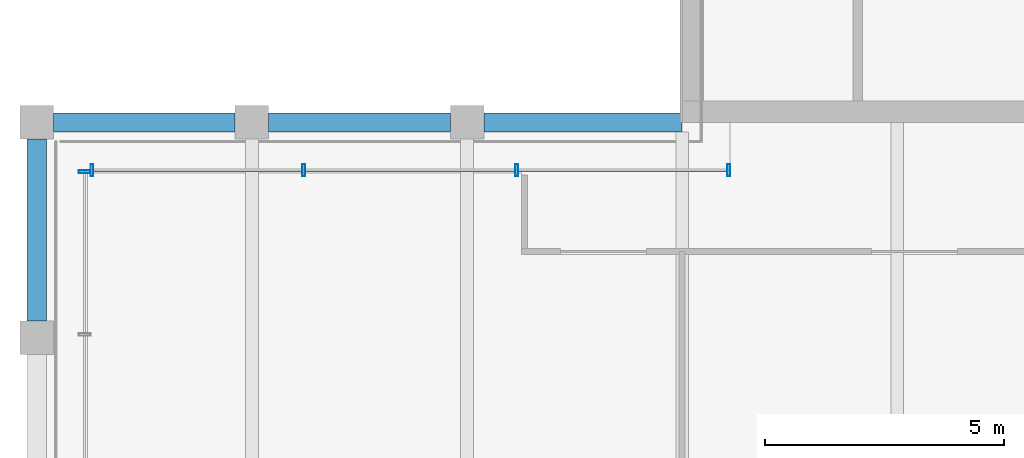
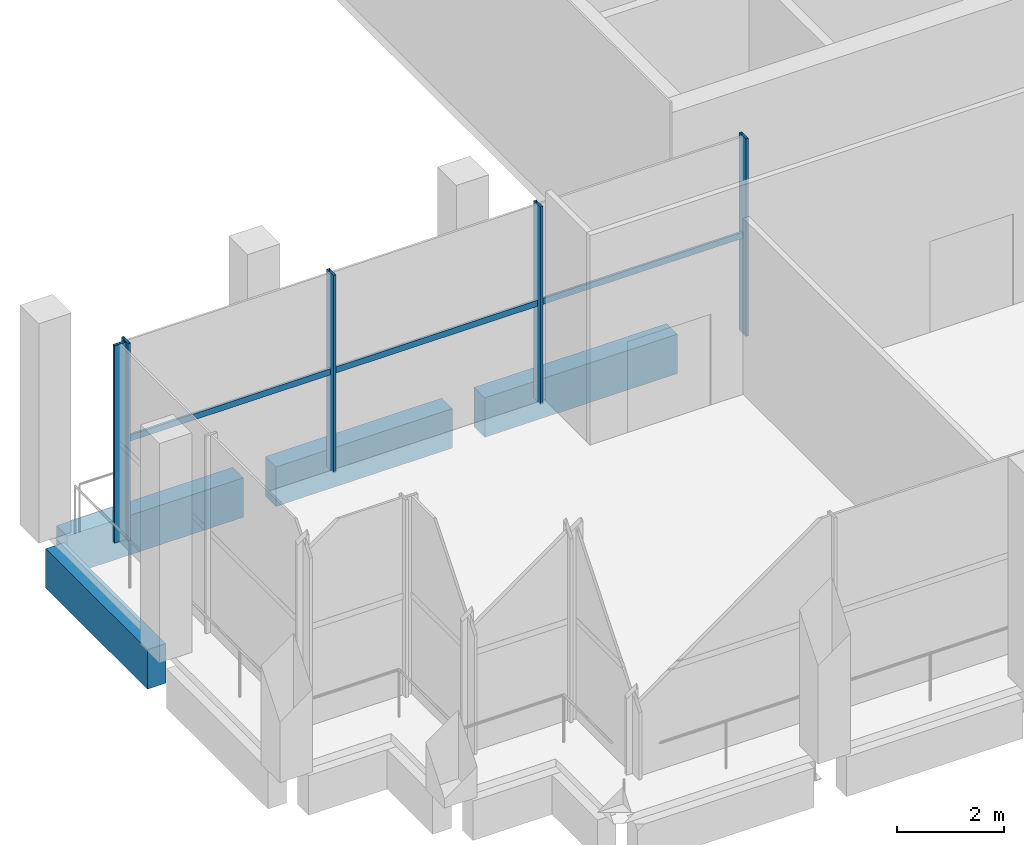
# One storey, part 4 of 14: 8 members, 4 beams, 2 elements without a shape of their own.
"""IFC4 building model written with IfcOpenShell, lengths in metres."""

from ifc_helpers import new_model, si_unit, direction, frame, origin, origin_2d, place, context, subcontext, project, spatial, rectangle, hollow_rectangle, extrude, material, material_profile, profile_set, type_object, element, aggregate, save


model = new_model("IFC4")

# Units and contexts
model_context = context("Model", 3, precision=1e-05, world=origin(), true_north=direction((0.0, 1.0)))
body_context = subcontext(model_context, "Body", "Model", "MODEL_VIEW")
ifc_project = project(units=[si_unit("LENGTHUNIT", "METRE"), si_unit("AREAUNIT", "SQUARE_METRE"), si_unit("VOLUMEUNIT", "CUBIC_METRE"), si_unit("PLANEANGLEUNIT", "RADIAN"), si_unit("MASSUNIT", "GRAM", prefix="KILO")], contexts=[model_context])

# Site, building, storey
site_placement = place(None, origin())
site = spatial("IfcSite", under=ifc_project, at=site_placement, CompositionType="ELEMENT")
building_placement = place(site_placement, origin())
building = spatial("IfcBuilding", under=site, at=building_placement, Name="Altepetl Exchange Towers", CompositionType="ELEMENT")
storey_placement = place(building_placement, frame((0.0, 0.0, 269.60009765625)))
storey = spatial("IfcBuildingStorey", under=building, at=storey_placement, Name="L68 Observation gallery", CompositionType="ELEMENT", Elevation=269.60009765625)

# Curtain wall, members
ifc_material_1 = material(Name="Aluminium 6063-T6 glazing", Category="aluminium")
curtain_wall_type = type_object("IfcCurtainWallType", Name="Executive flush glazing system", PredefinedType="NOTDEFINED", material=ifc_material_1)
curtain_wall_1_placement = place(storey_placement, origin())
curtain_wall_1 = element("IfcCurtainWall", 1, at=curtain_wall_1_placement, inside=storey, type_object=curtain_wall_type, Name="CW4 run", PredefinedType="NOTDEFINED")
ifc_material_2 = material(Name="Aluminium 6063-T6", Category="aluminium")
ifc_material_profile_1 = material_profile(ifc_material_2, hollow_rectangle(XDim=0.06005859375, YDim=0.25, WallThickness=0.0029296875, at=origin_2d()), Name="Mullion 60x250 hollow aluminium")
ifc_profile_set_1 = profile_set([ifc_material_profile_1], Name="Aluminium 6063-T6")
member_type_1 = type_object("IfcMemberType", Name="Mullion 60x250 hollow aluminium", PredefinedType="MULLION", material=ifc_profile_set_1)
member_1_placement = place(storey_placement, frame((41.469970703125, 39.5, 0.0), z_axis=(0.0, 0.0, 1.0), x_axis=(-1.0, 0.0, 0.0)))
member_1 = element("IfcMember", 2, at=member_1_placement, type_object=member_type_1, Name="MU3 mullion", PredefinedType="MULLION", context=body_context, shape_type="SweptSolid", body=[
    extrude(hollow_rectangle(XDim=0.06005859375, YDim=0.25, WallThickness=0.0029296875, at=origin_2d()), origin(), (0.0, 0.0, 1.0), 4.5),
])
member_2_placement = place(storey_placement, frame((37.041748046875, 39.5, 0.0), z_axis=(0.0, 0.0, 1.0), x_axis=(-1.0, 0.0, 0.0)))
member_2 = element("IfcMember", 3, at=member_2_placement, type_object=member_type_1, Name="MU3 mullion", PredefinedType="MULLION", context=body_context, shape_type="SweptSolid", body=[
    extrude(hollow_rectangle(XDim=0.06005859375, YDim=0.25, WallThickness=0.0029296875, at=origin_2d()), origin(), (0.0, 0.0, 1.0), 4.5),
])
member_3_placement = place(storey_placement, frame((32.583251953125, 39.5, 0.0), z_axis=(0.0, 0.0, 1.0), x_axis=(-1.0, 0.0, 0.0)))
member_3 = element("IfcMember", 4, at=member_3_placement, type_object=member_type_1, Name="MU3 mullion", PredefinedType="MULLION", context=body_context, shape_type="SweptSolid", body=[
    extrude(hollow_rectangle(XDim=0.06005859375, YDim=0.25, WallThickness=0.0029296875, at=origin_2d()), origin(), (0.0, 0.0, 1.0), 4.5),
])
member_4_placement = place(storey_placement, frame((28.155029296875, 39.5, 0.0), z_axis=(0.0, 0.0, 1.0), x_axis=(-1.0, 0.0, 0.0)))
member_4 = element("IfcMember", 5, at=member_4_placement, type_object=member_type_1, Name="MU3 mullion", PredefinedType="MULLION", context=body_context, shape_type="SweptSolid", body=[
    extrude(hollow_rectangle(XDim=0.06005859375, YDim=0.25, WallThickness=0.0029296875, at=origin_2d()), origin(), (0.0, 0.0, 1.0), 4.5),
])

# Curtain wall, member
curtain_wall_2_placement = place(storey_placement, origin())
curtain_wall_2 = element("IfcCurtainWall", 6, at=curtain_wall_2_placement, inside=storey, type_object=curtain_wall_type, Name="CW4 run", PredefinedType="NOTDEFINED")
member_5_placement = place(storey_placement, frame((28.0, 39.469970703125, 0.0), z_axis=(0.0, 0.0, 1.0), x_axis=(0.0, -1.0, 0.0)))
member_5 = element("IfcMember", 7, at=member_5_placement, type_object=member_type_1, Name="MU3 mullion", PredefinedType="MULLION", context=body_context, shape_type="SweptSolid", body=[
    extrude(hollow_rectangle(XDim=0.06005859375, YDim=0.25, WallThickness=0.0029296875, at=origin_2d()), origin(), (0.0, 0.0, 1.0), 4.5),
])
aggregate(curtain_wall_2, [member_5])

# Beams
ifc_material_3 = material(Name="Concrete C50/60 precast with cantera blanca facing", Category="concrete")
ifc_material_profile_2 = material_profile(ifc_material_3, rectangle(XDim=0.39990234375, YDim=0.89990234375, at=origin_2d()), Name="400 x 900")
ifc_profile_set_2 = profile_set([ifc_material_profile_2], Name="Concrete C50/60 precast with cantera blanca facing")
beam_type_1 = type_object("IfcBeamType", Name="Spandrel beam 400x900 cantera blanca", PredefinedType="SPANDREL", material=ifc_profile_set_2)
beam_1_placement = place(storey_placement, frame((27.0, 40.14990234375, -0.625), z_axis=(0.0, -1.0, 0.0), x_axis=(1.0, 0.0, 0.0)))
element("IfcBeam", 8, at=beam_1_placement, inside=storey, type_object=beam_type_1, Name="sp:A:L68:026", PredefinedType="SPANDREL", context=body_context, shape_type="SweptSolid", body=[
    extrude(rectangle(XDim=0.39990234375, YDim=0.89990234375, at=origin_2d()), origin(), (0.0, 0.0, 1.0), 3.7998046875),
])
ifc_material_4 = material(Name="Concrete C50/60 precast with tezontle facing", Category="concrete")
ifc_material_profile_3 = material_profile(ifc_material_4, rectangle(XDim=0.39990234375, YDim=0.89990234375, at=origin_2d()), Name="400 x 900")
ifc_profile_set_3 = profile_set([ifc_material_profile_3], Name="Concrete C50/60 precast with tezontle facing")
beam_type_2 = type_object("IfcBeamType", Name="Spandrel beam 400x900 tezontle", PredefinedType="SPANDREL", material=ifc_profile_set_3)
beam_2_placement = place(storey_placement, frame((40.5, 40.5, -0.625), z_axis=(-1.0, 0.0, 0.0), x_axis=(0.0, -1.0, 0.0)))
element("IfcBeam", 9, at=beam_2_placement, inside=storey, type_object=beam_type_2, Name="sp:A:L68:023", PredefinedType="SPANDREL", context=body_context, shape_type="SweptSolid", body=[
    extrude(rectangle(XDim=0.39990234375, YDim=0.89990234375, at=origin_2d()), origin(), (0.0, 0.0, 1.0), 4.14990234375),
])
for number, where, z_axis, x_axis, name in (
    (10, (35.64990234375, 40.5, -0.625), (-1.0, 0.0, 0.0), (0.0, -1.0, 0.0), "sp:A:L68:024"),
    (11, (31.14990234375, 40.5, -0.625), (-1.0, 0.0, 0.0), (0.0, -1.0, 0.0), "sp:A:L68:025"),
):
    element("IfcBeam", number, at=place(storey_placement, frame(where, z_axis=z_axis, x_axis=x_axis)), inside=storey, type_object=beam_type_2, Name=name, PredefinedType="SPANDREL", context=body_context, shape_type="SweptSolid", body=[
        extrude(rectangle(XDim=0.39990234375, YDim=0.89990234375, at=origin_2d()), origin(), (0.0, 0.0, 1.0), 3.7998046875),
    ])

# Member
ifc_material_profile_4 = material_profile(ifc_material_2, hollow_rectangle(XDim=0.050048828125, YDim=0.139892578125, WallThickness=0.0029296875, at=origin_2d()), Name="Transom 50x140 hollow aluminium")
ifc_profile_set_4 = profile_set([ifc_material_profile_4], Name="Aluminium 6063-T6")
member_type_2 = type_object("IfcMemberType", Name="Transom 50x140 hollow aluminium", PredefinedType="USERDEFINED", material=ifc_profile_set_4)
member_6_placement = place(storey_placement, frame((41.43994140625, 39.5, 2.25), z_axis=(-1.0, 0.0, 0.0), x_axis=(0.0, -1.0, 0.0)))
member_6 = element("IfcMember", 12, at=member_6_placement, type_object=member_type_2, Name="TR2 transom", ObjectType="TRANSOM", PredefinedType="USERDEFINED", context=body_context, shape_type="SweptSolid", body=[
    extrude(hollow_rectangle(XDim=0.050048828125, YDim=0.139892578125, WallThickness=0.0029296875, at=origin_2d()), origin(), (0.0, 0.0, 1.0), 4.3681640625),
])

member_7_placement = place(storey_placement, frame((37.01171875, 39.5, 2.25), z_axis=(-1.0, 0.0, 0.0), x_axis=(0.0, -1.0, 0.0)))
member_7 = element("IfcMember", 13, at=member_7_placement, type_object=member_type_2, Name="TR2 transom", ObjectType="TRANSOM", PredefinedType="USERDEFINED", context=body_context, shape_type="SweptSolid", body=[
    extrude(hollow_rectangle(XDim=0.050048828125, YDim=0.139892578125, WallThickness=0.0029296875, at=origin_2d()), origin(), (0.0, 0.0, 1.0), 4.3984375),
])

member_8_placement = place(storey_placement, frame((32.55322265625, 39.5, 2.25), z_axis=(-1.0, 0.0, 0.0), x_axis=(0.0, -1.0, 0.0)))
member_8 = element("IfcMember", 14, at=member_8_placement, type_object=member_type_2, Name="TR2 transom", ObjectType="TRANSOM", PredefinedType="USERDEFINED", context=body_context, shape_type="SweptSolid", body=[
    extrude(hollow_rectangle(XDim=0.050048828125, YDim=0.139892578125, WallThickness=0.0029296875, at=origin_2d()), origin(), (0.0, 0.0, 1.0), 4.3681640625),
])

aggregate(curtain_wall_1, [member_1, member_2, member_3, member_4, member_6, member_7, member_8])

save(model, "model.ifc")
